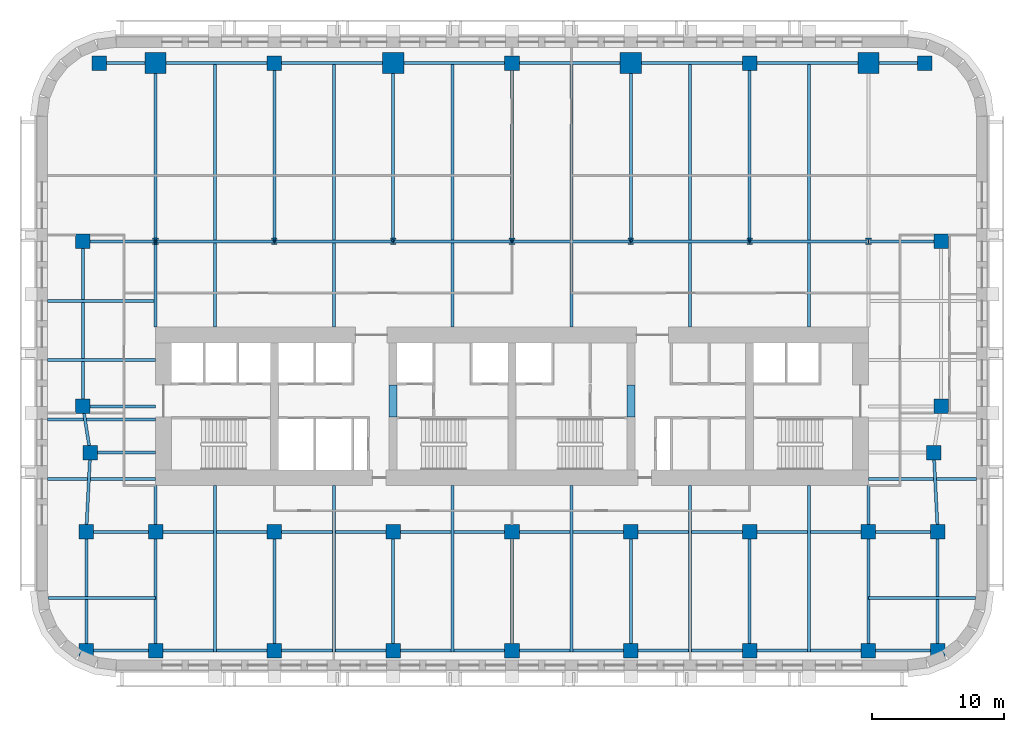
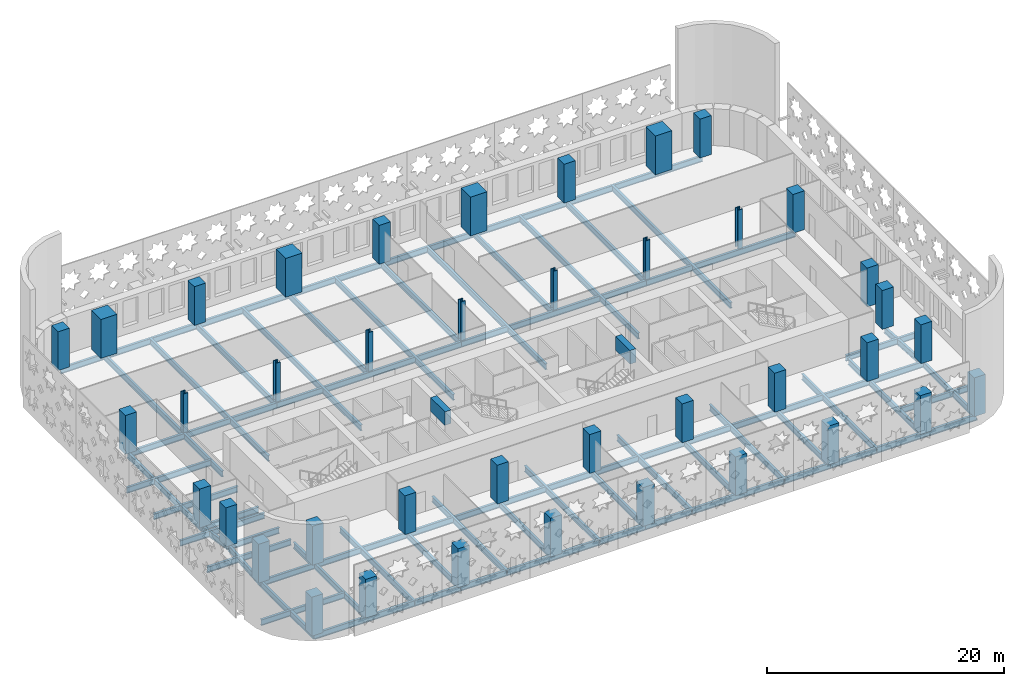
# One storey, part 1 of 15: 59 beams, 40 columns.
"""IFC4 building model written with IfcOpenShell, lengths in metres."""

from ifc_helpers import new_model, si_unit, direction, frame, origin, origin_2d, place, context, subcontext, project, spatial, rectangle, i_section, extrude, material, material_profile, profile_set, type_object, element, save


model = new_model("IFC4")

# Units and contexts
model_context = context("Model", 3, precision=1e-05, world=origin(), true_north=direction((0.0, 1.0)))
body_context = subcontext(model_context, "Body", "Model", "MODEL_VIEW")
ifc_project = project(units=[si_unit("LENGTHUNIT", "METRE"), si_unit("AREAUNIT", "SQUARE_METRE"), si_unit("VOLUMEUNIT", "CUBIC_METRE"), si_unit("PLANEANGLEUNIT", "RADIAN"), si_unit("MASSUNIT", "GRAM", prefix="KILO")], contexts=[model_context])

# Site, building, storey
site_placement = place(None, origin())
site = spatial("IfcSite", under=ifc_project, at=site_placement, CompositionType="ELEMENT")
building_placement = place(site_placement, origin())
building = spatial("IfcBuilding", under=site, at=building_placement, Name="Zellij Exchange Tower", CompositionType="ELEMENT")
storey_placement = place(building_placement, frame((0.0, 0.0, 76.5)))
storey = spatial("IfcBuildingStorey", under=building, at=storey_placement, Name="L15", CompositionType="ELEMENT", Elevation=76.5)

# Columns
ifc_material_1 = material(Name="Concrete C70/85", Category="concrete")
ifc_material_profile_1 = material_profile(ifc_material_1, rectangle(XDim=1.10009765625, YDim=1.10009765625, at=origin_2d()), Name="STR-COLUMN RC1100x1100 C70/85")
ifc_profile_set_1 = profile_set([ifc_material_profile_1], Name="Concrete C70/85")
column_type_1 = type_object("IfcColumnType", Name="STR-COLUMN RC1100x1100 C70/85", PredefinedType="COLUMN", material=ifc_profile_set_1)
for number, where, z_axis, x_axis, name in (
    (1, (-32.25, -26.5, 0.0), (0.0, 0.0, 1.0), (1.0, 0.0, 0.0), "C11"),
    (2, (-27.0, -26.5, 0.0), (0.0, 0.0, 1.0), (1.0, 0.0, 0.0), "C11"),
    (3, (-18.0, -26.5, 0.0), (0.0, 0.0, 1.0), (1.0, 0.0, 0.0), "C11"),
    (4, (-9.0, -26.5, 0.0), (0.0, 0.0, 1.0), (1.0, 0.0, 0.0), "C11"),
    (5, (0.0, -26.5, 0.0), (0.0, 0.0, 1.0), (1.0, 0.0, 0.0), "C11"),
    (6, (9.0, -26.5, 0.0), (0.0, 0.0, 1.0), (1.0, 0.0, 0.0), "C11"),
    (7, (18.0, -26.5, 0.0), (0.0, 0.0, 1.0), (1.0, 0.0, 0.0), "C11"),
    (8, (27.0, -26.5, 0.0), (0.0, 0.0, 1.0), (1.0, 0.0, 0.0), "C11"),
    (9, (32.25, -26.5, 0.0), (0.0, 0.0, 1.0), (1.0, 0.0, 0.0), "C11"),
    (10, (-32.25, -17.5, 0.0), (0.0, 0.0, 1.0), (1.0, 0.0, 0.0), "C11"),
    (11, (-27.0, -17.5, 0.0), (0.0, 0.0, 1.0), (1.0, 0.0, 0.0), "C11"),
    (12, (-18.0, -17.5, 0.0), (0.0, 0.0, 1.0), (1.0, 0.0, 0.0), "C11"),
    (13, (-9.0, -17.5, 0.0), (0.0, 0.0, 1.0), (1.0, 0.0, 0.0), "C11"),
    (14, (0.0, -17.5, 0.0), (0.0, 0.0, 1.0), (1.0, 0.0, 0.0), "C11"),
    (15, (9.0, -17.5, 0.0), (0.0, 0.0, 1.0), (1.0, 0.0, 0.0), "C11"),
    (16, (18.0, -17.5, 0.0), (0.0, 0.0, 1.0), (1.0, 0.0, 0.0), "C11"),
    (17, (27.0, -17.5, 0.0), (0.0, 0.0, 1.0), (1.0, 0.0, 0.0), "C11"),
    (18, (32.25, -17.5, 0.0), (0.0, 0.0, 1.0), (1.0, 0.0, 0.0), "C11"),
    (19, (-31.949951171875, -11.5, 0.0), (0.0, 0.0, 1.0), (1.0, 0.0, 0.0), "C11"),
    (20, (31.949951171875, -11.5, 0.0), (0.0, 0.0, 1.0), (1.0, 0.0, 0.0), "C11"),
    (21, (-32.5, -8.0, 0.0), (0.0, 0.0, 1.0), (1.0, 0.0, 0.0), "C11"),
    (22, (32.5, -8.0, 0.0), (0.0, 0.0, 1.0), (1.0, 0.0, 0.0), "C11"),
    (23, (-32.5, 4.5, 0.0), (0.0, 0.0, 1.0), (1.0, 0.0, 0.0), "C11"),
    (24, (32.5, 4.5, 0.0), (0.0, 0.0, 1.0), (1.0, 0.0, 0.0), "C11"),
    (25, (-31.25, 18.0, 0.0), (0.0, 0.0, 1.0), (1.0, 0.0, 0.0), "C11"),
    (26, (-18.0, 18.0, 0.0), (0.0, 0.0, 1.0), (1.0, 0.0, 0.0), "C11"),
    (27, (0.0, 18.0, 0.0), (0.0, 0.0, 1.0), (1.0, 0.0, 0.0), "C11"),
    (28, (18.0, 18.0, 0.0), (0.0, 0.0, 1.0), (1.0, 0.0, 0.0), "C11"),
    (29, (31.25, 18.0, 0.0), (0.0, 0.0, 1.0), (1.0, 0.0, 0.0), "C11"),
):
    element("IfcColumn", number, at=place(storey_placement, frame(where, z_axis=z_axis, x_axis=x_axis)), inside=storey, type_object=column_type_1, Name=name, PredefinedType="COLUMN", context=body_context, shape_type="SweptSolid", body=[
        extrude(rectangle(XDim=1.10009765625, YDim=1.10009765625, at=origin_2d()), origin(), (0.0, 0.0, 1.0), 4.0),
    ])
ifc_material_2 = material(Name="Structural steel ASTM A913 Gr 65", Category="steel")
ifc_material_profile_2 = material_profile(ifc_material_2, i_section(OverallWidth=0.431884765625, OverallDepth=0.497802734375, WebThickness=0.0556640625, FlangeThickness=0.0888671875, at=origin_2d()), Name="W14x500")
ifc_profile_set_2 = profile_set([ifc_material_profile_2], Name="Structural steel ASTM A913 Gr 65")
column_type_2 = type_object("IfcColumnType", Name="STR-COLUMN W14x500", PredefinedType="COLUMN", material=ifc_profile_set_2)
for number, where, z_axis, x_axis, name in (
    (30, (-27.0, 4.5, 0.0), (0.0, 0.0, 1.0), (1.0, 0.0, 0.0), "C5"),
    (31, (-18.0, 4.5, 0.0), (0.0, 0.0, 1.0), (1.0, 0.0, 0.0), "C5"),
    (32, (-9.0, 4.5, 0.0), (0.0, 0.0, 1.0), (1.0, 0.0, 0.0), "C5"),
    (33, (0.0, 4.5, 0.0), (0.0, 0.0, 1.0), (1.0, 0.0, 0.0), "C5"),
    (34, (9.0, 4.5, 0.0), (0.0, 0.0, 1.0), (1.0, 0.0, 0.0), "C5"),
    (35, (18.0, 4.5, 0.0), (0.0, 0.0, 1.0), (1.0, 0.0, 0.0), "C5"),
    (36, (27.0, 4.5, 0.0), (0.0, 0.0, 1.0), (1.0, 0.0, 0.0), "C5"),
):
    element("IfcColumn", number, at=place(storey_placement, frame(where, z_axis=z_axis, x_axis=x_axis)), inside=storey, type_object=column_type_2, Name=name, PredefinedType="COLUMN", context=body_context, shape_type="SweptSolid", body=[
        extrude(i_section(OverallWidth=0.431884765625, OverallDepth=0.497802734375, WebThickness=0.0556640625, FlangeThickness=0.0888671875, at=origin_2d()), origin(), (0.0, 0.0, 1.0), 4.0),
    ])
ifc_material_profile_3 = material_profile(ifc_material_1, rectangle(XDim=1.60009765625, YDim=1.60009765625, at=origin_2d()), Name="STR-MEGA COLUMN RC1600x1600 C70/85")
ifc_profile_set_3 = profile_set([ifc_material_profile_3], Name="Concrete C70/85")
column_type_3 = type_object("IfcColumnType", Name="STR-MEGA COLUMN RC1600x1600 C70/85", PredefinedType="COLUMN", material=ifc_profile_set_3)
for number, where, z_axis, x_axis, name in (
    (37, (-27.0, 18.0, 0.0), (0.0, 0.0, 1.0), (1.0, 0.0, 0.0), "MC6"),
    (38, (-9.0, 18.0, 0.0), (0.0, 0.0, 1.0), (1.0, 0.0, 0.0), "MC6"),
    (39, (9.0, 18.0, 0.0), (0.0, 0.0, 1.0), (1.0, 0.0, 0.0), "MC6"),
    (40, (27.0, 18.0, 0.0), (0.0, 0.0, 1.0), (1.0, 0.0, 0.0), "MC6"),
):
    element("IfcColumn", number, at=place(storey_placement, frame(where, z_axis=z_axis, x_axis=x_axis)), inside=storey, type_object=column_type_3, Name=name, PredefinedType="COLUMN", context=body_context, shape_type="SweptSolid", body=[
        extrude(rectangle(XDim=1.60009765625, YDim=1.60009765625, at=origin_2d()), origin(), (0.0, 0.0, 1.0), 4.0),
    ])

# Beams
ifc_material_profile_4 = material_profile(ifc_material_1, rectangle(XDim=0.60009765625, YDim=1.39990234375, at=origin_2d()), Name="CORE-CB 600x1400 C70/85")
ifc_profile_set_4 = profile_set([ifc_material_profile_4], Name="Concrete C70/85")
beam_type_1 = type_object("IfcBeamType", Name="CORE-CB 600x1400 C70/85", PredefinedType="BEAM", material=ifc_profile_set_4)
for number, where, z_axis, x_axis, name in (
    (41, (-9.0, -8.800048828125, 3.10009765625), (0.0, 1.0, 0.0), (-1.0, 0.0, 0.0), "Core coupling beam x -9 L15"),
    (42, (9.0, -8.800048828125, 3.10009765625), (0.0, 1.0, 0.0), (-1.0, 0.0, 0.0), "Core coupling beam x 9 L15"),
):
    element("IfcBeam", number, at=place(storey_placement, frame(where, z_axis=z_axis, x_axis=x_axis)), inside=storey, type_object=beam_type_1, Name=name, PredefinedType="BEAM", context=body_context, shape_type="SweptSolid", body=[
        extrude(rectangle(XDim=0.60009765625, YDim=1.39990234375, at=origin_2d()), origin(), (0.0, 0.0, 1.0), 2.425048828125),
    ])
ifc_material_3 = material(Name="Structural steel ASTM A992 Gr 50", Category="steel")
ifc_material_profile_5 = material_profile(ifc_material_3, i_section(OverallWidth=0.227783203125, OverallDepth=0.60205078125, WebThickness=0.010498046875, FlangeThickness=0.014892578125, at=origin_2d()), Name="W24x68")
ifc_profile_set_5 = profile_set([ifc_material_profile_5], Name="Structural steel ASTM A992 Gr 50")
beam_type_2 = type_object("IfcBeamType", Name="STR-BEAM W24x68", PredefinedType="BEAM", material=ifc_profile_set_5)
beam_1_placement = place(storey_placement, frame((-22.5, -26.614501953125, -0.5009765625), z_axis=(0.0, 1.0, 0.0), x_axis=(-1.0, 0.0, 0.0)))
element("IfcBeam", 43, at=beam_1_placement, inside=storey, type_object=beam_type_2, Name="B5", PredefinedType="BEAM", context=body_context, shape_type="SweptSolid", body=[
    extrude(i_section(OverallWidth=0.227783203125, OverallDepth=0.60205078125, WebThickness=0.010498046875, FlangeThickness=0.014892578125, at=origin_2d()), origin(), (0.0, 0.0, 1.0), 12.614501953125),
])
beam_2_placement = place(storey_placement, frame((-22.5, -2.0, -0.5009765625), z_axis=(0.0, 1.0, 0.0), x_axis=(-1.0, 0.0, 0.0)))
element("IfcBeam", 44, at=beam_2_placement, inside=storey, type_object=beam_type_2, Name="B5", PredefinedType="BEAM", context=body_context, shape_type="SweptSolid", body=[
    extrude(i_section(OverallWidth=0.227783203125, OverallDepth=0.60205078125, WebThickness=0.010498046875, FlangeThickness=0.014892578125, at=origin_2d()), origin(), (0.0, 0.0, 1.0), 20.114501953125),
])
beam_3_placement = place(storey_placement, frame((-13.5, -26.614501953125, -0.5009765625), z_axis=(0.0, 1.0, 0.0), x_axis=(-1.0, 0.0, 0.0)))
element("IfcBeam", 45, at=beam_3_placement, inside=storey, type_object=beam_type_2, Name="B5", PredefinedType="BEAM", context=body_context, shape_type="SweptSolid", body=[
    extrude(i_section(OverallWidth=0.227783203125, OverallDepth=0.60205078125, WebThickness=0.010498046875, FlangeThickness=0.014892578125, at=origin_2d()), origin(), (0.0, 0.0, 1.0), 12.614501953125),
])
beam_4_placement = place(storey_placement, frame((-13.5, -2.0, -0.5009765625), z_axis=(0.0, 1.0, 0.0), x_axis=(-1.0, 0.0, 0.0)))
element("IfcBeam", 46, at=beam_4_placement, inside=storey, type_object=beam_type_2, Name="B5", PredefinedType="BEAM", context=body_context, shape_type="SweptSolid", body=[
    extrude(i_section(OverallWidth=0.227783203125, OverallDepth=0.60205078125, WebThickness=0.010498046875, FlangeThickness=0.014892578125, at=origin_2d()), origin(), (0.0, 0.0, 1.0), 20.114501953125),
])
beam_5_placement = place(storey_placement, frame((-4.5, -26.614501953125, -0.5009765625), z_axis=(0.0, 1.0, 0.0), x_axis=(-1.0, 0.0, 0.0)))
element("IfcBeam", 47, at=beam_5_placement, inside=storey, type_object=beam_type_2, Name="B5", PredefinedType="BEAM", context=body_context, shape_type="SweptSolid", body=[
    extrude(i_section(OverallWidth=0.227783203125, OverallDepth=0.60205078125, WebThickness=0.010498046875, FlangeThickness=0.014892578125, at=origin_2d()), origin(), (0.0, 0.0, 1.0), 12.614501953125),
])
beam_6_placement = place(storey_placement, frame((-4.5, -2.0, -0.5009765625), z_axis=(0.0, 1.0, 0.0), x_axis=(-1.0, 0.0, 0.0)))
element("IfcBeam", 48, at=beam_6_placement, inside=storey, type_object=beam_type_2, Name="B5", PredefinedType="BEAM", context=body_context, shape_type="SweptSolid", body=[
    extrude(i_section(OverallWidth=0.227783203125, OverallDepth=0.60205078125, WebThickness=0.010498046875, FlangeThickness=0.014892578125, at=origin_2d()), origin(), (0.0, 0.0, 1.0), 20.114501953125),
])
beam_7_placement = place(storey_placement, frame((4.5, -26.614501953125, -0.5009765625), z_axis=(0.0, 1.0, 0.0), x_axis=(-1.0, 0.0, 0.0)))
element("IfcBeam", 49, at=beam_7_placement, inside=storey, type_object=beam_type_2, Name="B5", PredefinedType="BEAM", context=body_context, shape_type="SweptSolid", body=[
    extrude(i_section(OverallWidth=0.227783203125, OverallDepth=0.60205078125, WebThickness=0.010498046875, FlangeThickness=0.014892578125, at=origin_2d()), origin(), (0.0, 0.0, 1.0), 12.614501953125),
])
beam_8_placement = place(storey_placement, frame((4.5, -2.0, -0.5009765625), z_axis=(0.0, 1.0, 0.0), x_axis=(-1.0, 0.0, 0.0)))
element("IfcBeam", 50, at=beam_8_placement, inside=storey, type_object=beam_type_2, Name="B5", PredefinedType="BEAM", context=body_context, shape_type="SweptSolid", body=[
    extrude(i_section(OverallWidth=0.227783203125, OverallDepth=0.60205078125, WebThickness=0.010498046875, FlangeThickness=0.014892578125, at=origin_2d()), origin(), (0.0, 0.0, 1.0), 20.114501953125),
])
beam_9_placement = place(storey_placement, frame((13.5, -26.614501953125, -0.5009765625), z_axis=(0.0, 1.0, 0.0), x_axis=(-1.0, 0.0, 0.0)))
element("IfcBeam", 51, at=beam_9_placement, inside=storey, type_object=beam_type_2, Name="B5", PredefinedType="BEAM", context=body_context, shape_type="SweptSolid", body=[
    extrude(i_section(OverallWidth=0.227783203125, OverallDepth=0.60205078125, WebThickness=0.010498046875, FlangeThickness=0.014892578125, at=origin_2d()), origin(), (0.0, 0.0, 1.0), 12.614501953125),
])
beam_10_placement = place(storey_placement, frame((13.5, -2.0, -0.5009765625), z_axis=(0.0, 1.0, 0.0), x_axis=(-1.0, 0.0, 0.0)))
element("IfcBeam", 52, at=beam_10_placement, inside=storey, type_object=beam_type_2, Name="B5", PredefinedType="BEAM", context=body_context, shape_type="SweptSolid", body=[
    extrude(i_section(OverallWidth=0.227783203125, OverallDepth=0.60205078125, WebThickness=0.010498046875, FlangeThickness=0.014892578125, at=origin_2d()), origin(), (0.0, 0.0, 1.0), 20.114501953125),
])
beam_11_placement = place(storey_placement, frame((22.5, -26.614501953125, -0.5009765625), z_axis=(0.0, 1.0, 0.0), x_axis=(-1.0, 0.0, 0.0)))
element("IfcBeam", 53, at=beam_11_placement, inside=storey, type_object=beam_type_2, Name="B5", PredefinedType="BEAM", context=body_context, shape_type="SweptSolid", body=[
    extrude(i_section(OverallWidth=0.227783203125, OverallDepth=0.60205078125, WebThickness=0.010498046875, FlangeThickness=0.014892578125, at=origin_2d()), origin(), (0.0, 0.0, 1.0), 12.614501953125),
])
beam_12_placement = place(storey_placement, frame((22.5, -2.0, -0.5009765625), z_axis=(0.0, 1.0, 0.0), x_axis=(-1.0, 0.0, 0.0)))
element("IfcBeam", 54, at=beam_12_placement, inside=storey, type_object=beam_type_2, Name="B5", PredefinedType="BEAM", context=body_context, shape_type="SweptSolid", body=[
    extrude(i_section(OverallWidth=0.227783203125, OverallDepth=0.60205078125, WebThickness=0.010498046875, FlangeThickness=0.014892578125, at=origin_2d()), origin(), (0.0, 0.0, 1.0), 20.114501953125),
])
beam_13_placement = place(storey_placement, frame((-35.126953125, -22.5, -0.5009765625), z_axis=(1.0, 0.0, 0.0), x_axis=(0.0, 1.0, 0.0)))
element("IfcBeam", 55, at=beam_13_placement, inside=storey, type_object=beam_type_2, Name="B5", PredefinedType="BEAM", context=body_context, shape_type="SweptSolid", body=[
    extrude(i_section(OverallWidth=0.227783203125, OverallDepth=0.60205078125, WebThickness=0.010498046875, FlangeThickness=0.014892578125, at=origin_2d()), origin(), (0.0, 0.0, 1.0), 8.126953125),
])
for number, where, z_axis, x_axis, name in (
    (56, (-35.199951171875, -13.5, -0.5009765625), (1.0, 0.0, 0.0), (0.0, 1.0, 0.0), "B5"),
    (57, (-35.199951171875, -9.0, -0.5009765625), (1.0, 0.0, 0.0), (0.0, 1.0, 0.0), "B5"),
    (58, (-35.199951171875, -4.5, -0.5009765625), (1.0, 0.0, 0.0), (0.0, 1.0, 0.0), "B5"),
    (59, (-35.199951171875, 0.0, -0.5009765625), (1.0, 0.0, 0.0), (0.0, 1.0, 0.0), "B5"),
):
    element("IfcBeam", number, at=place(storey_placement, frame(where, z_axis=z_axis, x_axis=x_axis)), inside=storey, type_object=beam_type_2, Name=name, PredefinedType="BEAM", context=body_context, shape_type="SweptSolid", body=[
        extrude(i_section(OverallWidth=0.227783203125, OverallDepth=0.60205078125, WebThickness=0.010498046875, FlangeThickness=0.014892578125, at=origin_2d()), origin(), (0.0, 0.0, 1.0), 8.199951171875),
    ])
beam_14_placement = place(storey_placement, frame((27.0, -22.5, -0.5009765625), z_axis=(1.0, 0.0, 0.0), x_axis=(0.0, 1.0, 0.0)))
element("IfcBeam", 60, at=beam_14_placement, inside=storey, type_object=beam_type_2, Name="B5", PredefinedType="BEAM", context=body_context, shape_type="SweptSolid", body=[
    extrude(i_section(OverallWidth=0.227783203125, OverallDepth=0.60205078125, WebThickness=0.010498046875, FlangeThickness=0.014892578125, at=origin_2d()), origin(), (0.0, 0.0, 1.0), 8.126953125),
])
beam_15_placement = place(storey_placement, frame((27.0, -13.5, -0.5009765625), z_axis=(1.0, 0.0, 0.0), x_axis=(0.0, 1.0, 0.0)))
element("IfcBeam", 61, at=beam_15_placement, inside=storey, type_object=beam_type_2, Name="B5", PredefinedType="BEAM", context=body_context, shape_type="SweptSolid", body=[
    extrude(i_section(OverallWidth=0.227783203125, OverallDepth=0.60205078125, WebThickness=0.010498046875, FlangeThickness=0.014892578125, at=origin_2d()), origin(), (0.0, 0.0, 1.0), 8.199951171875),
])
ifc_material_profile_6 = material_profile(ifc_material_3, i_section(OverallWidth=0.22900390625, OverallDepth=0.612060546875, WebThickness=0.011962890625, FlangeThickness=0.01953125, at=origin_2d()), Name="W24x84")
ifc_profile_set_6 = profile_set([ifc_material_profile_6], Name="Structural steel ASTM A992 Gr 50")
beam_type_3 = type_object("IfcBeamType", Name="STR-EDGE GIRDER W24x84", PredefinedType="BEAM", material=ifc_profile_set_6)
beam_16_placement = place(storey_placement, frame((-32.25, -26.5, -0.506103515625), z_axis=(0.0, 1.0, 0.0), x_axis=(-1.0, 0.0, 0.0)))
element("IfcBeam", 62, at=beam_16_placement, inside=storey, type_object=beam_type_3, Name="EB6", PredefinedType="BEAM", context=body_context, shape_type="SweptSolid", body=[
    extrude(i_section(OverallWidth=0.22900390625, OverallDepth=0.612060546875, WebThickness=0.011962890625, FlangeThickness=0.01953125, at=origin_2d()), origin(), (0.0, 0.0, 1.0), 9.0),
])
beam_17_placement = place(storey_placement, frame((-32.25, -17.5, -0.506103515625), z_axis=(0.049945724537, 0.998751933465, 0.0), x_axis=(-0.998751933465, 0.049945724537, 0.0)))
element("IfcBeam", 63, at=beam_17_placement, inside=storey, type_object=beam_type_3, Name="EB6", PredefinedType="BEAM", context=body_context, shape_type="SweptSolid", body=[
    extrude(i_section(OverallWidth=0.22900390625, OverallDepth=0.612060546875, WebThickness=0.011962890625, FlangeThickness=0.01953125, at=origin_2d()), origin(), (0.0, 0.0, 1.0), 6.007568359375),
])
beam_18_placement = place(storey_placement, frame((-31.949951171875, -11.5, -0.506103515625), z_axis=(-0.155251283593, 0.987875011802, 0.0), x_axis=(-0.987875011802, -0.155251283593, 0.0)))
element("IfcBeam", 64, at=beam_18_placement, inside=storey, type_object=beam_type_3, Name="EB6", PredefinedType="BEAM", context=body_context, shape_type="SweptSolid", body=[
    extrude(i_section(OverallWidth=0.22900390625, OverallDepth=0.612060546875, WebThickness=0.011962890625, FlangeThickness=0.01953125, at=origin_2d()), origin(), (0.0, 0.0, 1.0), 3.54296875),
])
beam_19_placement = place(storey_placement, frame((-32.5, -8.0, -0.506103515625), z_axis=(0.0, 1.0, 0.0), x_axis=(-1.0, 0.0, 0.0)))
element("IfcBeam", 65, at=beam_19_placement, inside=storey, type_object=beam_type_3, Name="EB6", PredefinedType="BEAM", context=body_context, shape_type="SweptSolid", body=[
    extrude(i_section(OverallWidth=0.22900390625, OverallDepth=0.612060546875, WebThickness=0.011962890625, FlangeThickness=0.01953125, at=origin_2d()), origin(), (0.0, 0.0, 1.0), 12.5),
])
beam_20_placement = place(storey_placement, frame((32.25, -26.5, -0.506103515625), z_axis=(0.0, 1.0, 0.0), x_axis=(-1.0, 0.0, 0.0)))
element("IfcBeam", 66, at=beam_20_placement, inside=storey, type_object=beam_type_3, Name="EB6", PredefinedType="BEAM", context=body_context, shape_type="SweptSolid", body=[
    extrude(i_section(OverallWidth=0.22900390625, OverallDepth=0.612060546875, WebThickness=0.011962890625, FlangeThickness=0.01953125, at=origin_2d()), origin(), (0.0, 0.0, 1.0), 9.0),
])
beam_21_placement = place(storey_placement, frame((32.25, -17.5, -0.506103515625), z_axis=(-0.049945724537, 0.998751933465, 0.0), x_axis=(-0.998751933465, -0.049945724537, 0.0)))
element("IfcBeam", 67, at=beam_21_placement, inside=storey, type_object=beam_type_3, Name="EB6", PredefinedType="BEAM", context=body_context, shape_type="SweptSolid", body=[
    extrude(i_section(OverallWidth=0.22900390625, OverallDepth=0.612060546875, WebThickness=0.011962890625, FlangeThickness=0.01953125, at=origin_2d()), origin(), (0.0, 0.0, 1.0), 6.007568359375),
])
ifc_material_profile_7 = material_profile(ifc_material_3, i_section(OverallWidth=0.22900390625, OverallDepth=0.612060546875, WebThickness=0.011962890625, FlangeThickness=0.01953125, at=origin_2d()), Name="W24x84")
ifc_profile_set_7 = profile_set([ifc_material_profile_7], Name="Structural steel ASTM A992 Gr 50")
beam_type_4 = type_object("IfcBeamType", Name="STR-GIRDER W24x84", PredefinedType="BEAM", material=ifc_profile_set_7)
beam_22_placement = place(storey_placement, frame((-32.25, -26.5, -0.506103515625), z_axis=(1.0, 0.0, 0.0), x_axis=(0.0, 1.0, 0.0)))
element("IfcBeam", 68, at=beam_22_placement, inside=storey, type_object=beam_type_4, Name="G4", PredefinedType="BEAM", context=body_context, shape_type="SweptSolid", body=[
    extrude(i_section(OverallWidth=0.22900390625, OverallDepth=0.612060546875, WebThickness=0.011962890625, FlangeThickness=0.01953125, at=origin_2d()), origin(), (0.0, 0.0, 1.0), 14.25),
])
for number, where, z_axis, x_axis, name in (
    (69, (-18.0, -26.5, -0.506103515625), (1.0, 0.0, 0.0), (0.0, 1.0, 0.0), "G4"),
    (70, (0.0, -26.5, -0.506103515625), (1.0, 0.0, 0.0), (0.0, 1.0, 0.0), "G4"),
):
    element("IfcBeam", number, at=place(storey_placement, frame(where, z_axis=z_axis, x_axis=x_axis)), inside=storey, type_object=beam_type_4, Name=name, PredefinedType="BEAM", context=body_context, shape_type="SweptSolid", body=[
        extrude(i_section(OverallWidth=0.22900390625, OverallDepth=0.612060546875, WebThickness=0.011962890625, FlangeThickness=0.01953125, at=origin_2d()), origin(), (0.0, 0.0, 1.0), 18.0),
    ])
for number, where, z_axis, x_axis, name in (
    (71, (18.0, -26.5, -0.506103515625), (1.0, 0.0, 0.0), (0.0, 1.0, 0.0), "G4"),
    (72, (-32.25, -17.5, -0.506103515625), (1.0, 0.0, 0.0), (0.0, 1.0, 0.0), "G4"),
):
    element("IfcBeam", number, at=place(storey_placement, frame(where, z_axis=z_axis, x_axis=x_axis)), inside=storey, type_object=beam_type_4, Name=name, PredefinedType="BEAM", context=body_context, shape_type="SweptSolid", body=[
        extrude(i_section(OverallWidth=0.22900390625, OverallDepth=0.612060546875, WebThickness=0.011962890625, FlangeThickness=0.01953125, at=origin_2d()), origin(), (0.0, 0.0, 1.0), 14.25),
    ])
for number, where, z_axis, x_axis, name in (
    (73, (-18.0, -17.5, -0.506103515625), (1.0, 0.0, 0.0), (0.0, 1.0, 0.0), "G4"),
    (74, (0.0, -17.5, -0.506103515625), (1.0, 0.0, 0.0), (0.0, 1.0, 0.0), "G4"),
):
    element("IfcBeam", number, at=place(storey_placement, frame(where, z_axis=z_axis, x_axis=x_axis)), inside=storey, type_object=beam_type_4, Name=name, PredefinedType="BEAM", context=body_context, shape_type="SweptSolid", body=[
        extrude(i_section(OverallWidth=0.22900390625, OverallDepth=0.612060546875, WebThickness=0.011962890625, FlangeThickness=0.01953125, at=origin_2d()), origin(), (0.0, 0.0, 1.0), 18.0),
    ])
beam_23_placement = place(storey_placement, frame((18.0, -17.5, -0.506103515625), z_axis=(1.0, 0.0, 0.0), x_axis=(0.0, 1.0, 0.0)))
element("IfcBeam", 75, at=beam_23_placement, inside=storey, type_object=beam_type_4, Name="G4", PredefinedType="BEAM", context=body_context, shape_type="SweptSolid", body=[
    extrude(i_section(OverallWidth=0.22900390625, OverallDepth=0.612060546875, WebThickness=0.011962890625, FlangeThickness=0.01953125, at=origin_2d()), origin(), (0.0, 0.0, 1.0), 14.25),
])
beam_24_placement = place(storey_placement, frame((-31.949951171875, -11.5, -0.506103515625), z_axis=(1.0, 0.0, 0.0), x_axis=(0.0, 1.0, 0.0)))
element("IfcBeam", 76, at=beam_24_placement, inside=storey, type_object=beam_type_4, Name="G4", PredefinedType="BEAM", context=body_context, shape_type="SweptSolid", body=[
    extrude(i_section(OverallWidth=0.22900390625, OverallDepth=0.612060546875, WebThickness=0.011962890625, FlangeThickness=0.01953125, at=origin_2d()), origin(), (0.0, 0.0, 1.0), 4.949951171875),
])
beam_25_placement = place(storey_placement, frame((-32.5, -8.0, -0.506103515625), z_axis=(1.0, 0.0, 0.0), x_axis=(0.0, 1.0, 0.0)))
element("IfcBeam", 77, at=beam_25_placement, inside=storey, type_object=beam_type_4, Name="G4", PredefinedType="BEAM", context=body_context, shape_type="SweptSolid", body=[
    extrude(i_section(OverallWidth=0.22900390625, OverallDepth=0.612060546875, WebThickness=0.011962890625, FlangeThickness=0.01953125, at=origin_2d()), origin(), (0.0, 0.0, 1.0), 5.5),
])
beam_26_placement = place(storey_placement, frame((-32.5, 4.5, -0.506103515625), z_axis=(1.0, 0.0, 0.0), x_axis=(0.0, 1.0, 0.0)))
element("IfcBeam", 78, at=beam_26_placement, inside=storey, type_object=beam_type_4, Name="G4", PredefinedType="BEAM", context=body_context, shape_type="SweptSolid", body=[
    extrude(i_section(OverallWidth=0.22900390625, OverallDepth=0.612060546875, WebThickness=0.011962890625, FlangeThickness=0.01953125, at=origin_2d()), origin(), (0.0, 0.0, 1.0), 14.5),
])
for number, where, z_axis, x_axis, name in (
    (79, (-18.0, 4.5, -0.506103515625), (1.0, 0.0, 0.0), (0.0, 1.0, 0.0), "G4"),
    (80, (0.0, 4.5, -0.506103515625), (1.0, 0.0, 0.0), (0.0, 1.0, 0.0), "G4"),
):
    element("IfcBeam", number, at=place(storey_placement, frame(where, z_axis=z_axis, x_axis=x_axis)), inside=storey, type_object=beam_type_4, Name=name, PredefinedType="BEAM", context=body_context, shape_type="SweptSolid", body=[
        extrude(i_section(OverallWidth=0.22900390625, OverallDepth=0.612060546875, WebThickness=0.011962890625, FlangeThickness=0.01953125, at=origin_2d()), origin(), (0.0, 0.0, 1.0), 18.0),
    ])
beam_27_placement = place(storey_placement, frame((18.0, 4.5, -0.506103515625), z_axis=(1.0, 0.0, 0.0), x_axis=(0.0, 1.0, 0.0)))
element("IfcBeam", 81, at=beam_27_placement, inside=storey, type_object=beam_type_4, Name="G4", PredefinedType="BEAM", context=body_context, shape_type="SweptSolid", body=[
    extrude(i_section(OverallWidth=0.22900390625, OverallDepth=0.612060546875, WebThickness=0.011962890625, FlangeThickness=0.01953125, at=origin_2d()), origin(), (0.0, 0.0, 1.0), 14.5),
])
beam_28_placement = place(storey_placement, frame((-31.25, 18.0, -0.506103515625), z_axis=(1.0, 0.0, 0.0), x_axis=(0.0, 1.0, 0.0)))
element("IfcBeam", 82, at=beam_28_placement, inside=storey, type_object=beam_type_4, Name="G4", PredefinedType="BEAM", context=body_context, shape_type="SweptSolid", body=[
    extrude(i_section(OverallWidth=0.22900390625, OverallDepth=0.612060546875, WebThickness=0.011962890625, FlangeThickness=0.01953125, at=origin_2d()), origin(), (0.0, 0.0, 1.0), 13.25),
])
for number, where, z_axis, x_axis, name in (
    (83, (-18.0, 18.0, -0.506103515625), (1.0, 0.0, 0.0), (0.0, 1.0, 0.0), "G4"),
    (84, (0.0, 18.0, -0.506103515625), (1.0, 0.0, 0.0), (0.0, 1.0, 0.0), "G4"),
):
    element("IfcBeam", number, at=place(storey_placement, frame(where, z_axis=z_axis, x_axis=x_axis)), inside=storey, type_object=beam_type_4, Name=name, PredefinedType="BEAM", context=body_context, shape_type="SweptSolid", body=[
        extrude(i_section(OverallWidth=0.22900390625, OverallDepth=0.612060546875, WebThickness=0.011962890625, FlangeThickness=0.01953125, at=origin_2d()), origin(), (0.0, 0.0, 1.0), 18.0),
    ])
beam_29_placement = place(storey_placement, frame((18.0, 18.0, -0.506103515625), z_axis=(1.0, 0.0, 0.0), x_axis=(0.0, 1.0, 0.0)))
element("IfcBeam", 85, at=beam_29_placement, inside=storey, type_object=beam_type_4, Name="G4", PredefinedType="BEAM", context=body_context, shape_type="SweptSolid", body=[
    extrude(i_section(OverallWidth=0.22900390625, OverallDepth=0.612060546875, WebThickness=0.011962890625, FlangeThickness=0.01953125, at=origin_2d()), origin(), (0.0, 0.0, 1.0), 13.25),
])
beam_30_placement = place(storey_placement, frame((-27.0, -26.5, -0.506103515625), z_axis=(0.0, 1.0, 0.0), x_axis=(-1.0, 0.0, 0.0)))
element("IfcBeam", 86, at=beam_30_placement, inside=storey, type_object=beam_type_4, Name="G4", PredefinedType="BEAM", context=body_context, shape_type="SweptSolid", body=[
    extrude(i_section(OverallWidth=0.22900390625, OverallDepth=0.612060546875, WebThickness=0.011962890625, FlangeThickness=0.01953125, at=origin_2d()), origin(), (0.0, 0.0, 1.0), 12.5),
])
beam_31_placement = place(storey_placement, frame((-27.0, -2.0, -0.506103515625), z_axis=(0.0, 1.0, 0.0), x_axis=(-1.0, 0.0, 0.0)))
element("IfcBeam", 87, at=beam_31_placement, inside=storey, type_object=beam_type_4, Name="G4", PredefinedType="BEAM", context=body_context, shape_type="SweptSolid", body=[
    extrude(i_section(OverallWidth=0.22900390625, OverallDepth=0.612060546875, WebThickness=0.011962890625, FlangeThickness=0.01953125, at=origin_2d()), origin(), (0.0, 0.0, 1.0), 6.5),
])
beam_32_placement = place(storey_placement, frame((-27.0, 4.5, -0.506103515625), z_axis=(0.0, 1.0, 0.0), x_axis=(-1.0, 0.0, 0.0)))
element("IfcBeam", 88, at=beam_32_placement, inside=storey, type_object=beam_type_4, Name="G4", PredefinedType="BEAM", context=body_context, shape_type="SweptSolid", body=[
    extrude(i_section(OverallWidth=0.22900390625, OverallDepth=0.612060546875, WebThickness=0.011962890625, FlangeThickness=0.01953125, at=origin_2d()), origin(), (0.0, 0.0, 1.0), 13.5),
])
beam_33_placement = place(storey_placement, frame((-18.0, -26.5, -0.506103515625), z_axis=(0.0, 1.0, 0.0), x_axis=(-1.0, 0.0, 0.0)))
element("IfcBeam", 89, at=beam_33_placement, inside=storey, type_object=beam_type_4, Name="G4", PredefinedType="BEAM", context=body_context, shape_type="SweptSolid", body=[
    extrude(i_section(OverallWidth=0.22900390625, OverallDepth=0.612060546875, WebThickness=0.011962890625, FlangeThickness=0.01953125, at=origin_2d()), origin(), (0.0, 0.0, 1.0), 9.0),
])
beam_34_placement = place(storey_placement, frame((-18.0, 4.5, -0.506103515625), z_axis=(0.0, 1.0, 0.0), x_axis=(-1.0, 0.0, 0.0)))
element("IfcBeam", 90, at=beam_34_placement, inside=storey, type_object=beam_type_4, Name="G4", PredefinedType="BEAM", context=body_context, shape_type="SweptSolid", body=[
    extrude(i_section(OverallWidth=0.22900390625, OverallDepth=0.612060546875, WebThickness=0.011962890625, FlangeThickness=0.01953125, at=origin_2d()), origin(), (0.0, 0.0, 1.0), 13.5),
])
beam_35_placement = place(storey_placement, frame((-9.0, -26.5, -0.506103515625), z_axis=(0.0, 1.0, 0.0), x_axis=(-1.0, 0.0, 0.0)))
element("IfcBeam", 91, at=beam_35_placement, inside=storey, type_object=beam_type_4, Name="G4", PredefinedType="BEAM", context=body_context, shape_type="SweptSolid", body=[
    extrude(i_section(OverallWidth=0.22900390625, OverallDepth=0.612060546875, WebThickness=0.011962890625, FlangeThickness=0.01953125, at=origin_2d()), origin(), (0.0, 0.0, 1.0), 9.0),
])
beam_36_placement = place(storey_placement, frame((-9.0, 4.5, -0.506103515625), z_axis=(0.0, 1.0, 0.0), x_axis=(-1.0, 0.0, 0.0)))
element("IfcBeam", 92, at=beam_36_placement, inside=storey, type_object=beam_type_4, Name="G4", PredefinedType="BEAM", context=body_context, shape_type="SweptSolid", body=[
    extrude(i_section(OverallWidth=0.22900390625, OverallDepth=0.612060546875, WebThickness=0.011962890625, FlangeThickness=0.01953125, at=origin_2d()), origin(), (0.0, 0.0, 1.0), 13.5),
])
beam_37_placement = place(storey_placement, frame((0.0, -26.5, -0.506103515625), z_axis=(0.0, 1.0, 0.0), x_axis=(-1.0, 0.0, 0.0)))
element("IfcBeam", 93, at=beam_37_placement, inside=storey, type_object=beam_type_4, Name="G4", PredefinedType="BEAM", context=body_context, shape_type="SweptSolid", body=[
    extrude(i_section(OverallWidth=0.22900390625, OverallDepth=0.612060546875, WebThickness=0.011962890625, FlangeThickness=0.01953125, at=origin_2d()), origin(), (0.0, 0.0, 1.0), 9.0),
])
beam_38_placement = place(storey_placement, frame((0.0, 4.5, -0.506103515625), z_axis=(0.0, 1.0, 0.0), x_axis=(-1.0, 0.0, 0.0)))
element("IfcBeam", 94, at=beam_38_placement, inside=storey, type_object=beam_type_4, Name="G4", PredefinedType="BEAM", context=body_context, shape_type="SweptSolid", body=[
    extrude(i_section(OverallWidth=0.22900390625, OverallDepth=0.612060546875, WebThickness=0.011962890625, FlangeThickness=0.01953125, at=origin_2d()), origin(), (0.0, 0.0, 1.0), 13.5),
])
beam_39_placement = place(storey_placement, frame((9.0, -26.5, -0.506103515625), z_axis=(0.0, 1.0, 0.0), x_axis=(-1.0, 0.0, 0.0)))
element("IfcBeam", 95, at=beam_39_placement, inside=storey, type_object=beam_type_4, Name="G4", PredefinedType="BEAM", context=body_context, shape_type="SweptSolid", body=[
    extrude(i_section(OverallWidth=0.22900390625, OverallDepth=0.612060546875, WebThickness=0.011962890625, FlangeThickness=0.01953125, at=origin_2d()), origin(), (0.0, 0.0, 1.0), 9.0),
])
beam_40_placement = place(storey_placement, frame((9.0, 4.5, -0.506103515625), z_axis=(0.0, 1.0, 0.0), x_axis=(-1.0, 0.0, 0.0)))
element("IfcBeam", 96, at=beam_40_placement, inside=storey, type_object=beam_type_4, Name="G4", PredefinedType="BEAM", context=body_context, shape_type="SweptSolid", body=[
    extrude(i_section(OverallWidth=0.22900390625, OverallDepth=0.612060546875, WebThickness=0.011962890625, FlangeThickness=0.01953125, at=origin_2d()), origin(), (0.0, 0.0, 1.0), 13.5),
])
beam_41_placement = place(storey_placement, frame((18.0, -26.5, -0.506103515625), z_axis=(0.0, 1.0, 0.0), x_axis=(-1.0, 0.0, 0.0)))
element("IfcBeam", 97, at=beam_41_placement, inside=storey, type_object=beam_type_4, Name="G4", PredefinedType="BEAM", context=body_context, shape_type="SweptSolid", body=[
    extrude(i_section(OverallWidth=0.22900390625, OverallDepth=0.612060546875, WebThickness=0.011962890625, FlangeThickness=0.01953125, at=origin_2d()), origin(), (0.0, 0.0, 1.0), 9.0),
])
beam_42_placement = place(storey_placement, frame((18.0, 4.5, -0.506103515625), z_axis=(0.0, 1.0, 0.0), x_axis=(-1.0, 0.0, 0.0)))
element("IfcBeam", 98, at=beam_42_placement, inside=storey, type_object=beam_type_4, Name="G4", PredefinedType="BEAM", context=body_context, shape_type="SweptSolid", body=[
    extrude(i_section(OverallWidth=0.22900390625, OverallDepth=0.612060546875, WebThickness=0.011962890625, FlangeThickness=0.01953125, at=origin_2d()), origin(), (0.0, 0.0, 1.0), 13.5),
])
beam_43_placement = place(storey_placement, frame((27.0, -26.5, -0.506103515625), z_axis=(0.0, 1.0, 0.0), x_axis=(-1.0, 0.0, 0.0)))
element("IfcBeam", 99, at=beam_43_placement, inside=storey, type_object=beam_type_4, Name="G4", PredefinedType="BEAM", context=body_context, shape_type="SweptSolid", body=[
    extrude(i_section(OverallWidth=0.22900390625, OverallDepth=0.612060546875, WebThickness=0.011962890625, FlangeThickness=0.01953125, at=origin_2d()), origin(), (0.0, 0.0, 1.0), 12.5),
])

save(model, "model.ifc")
